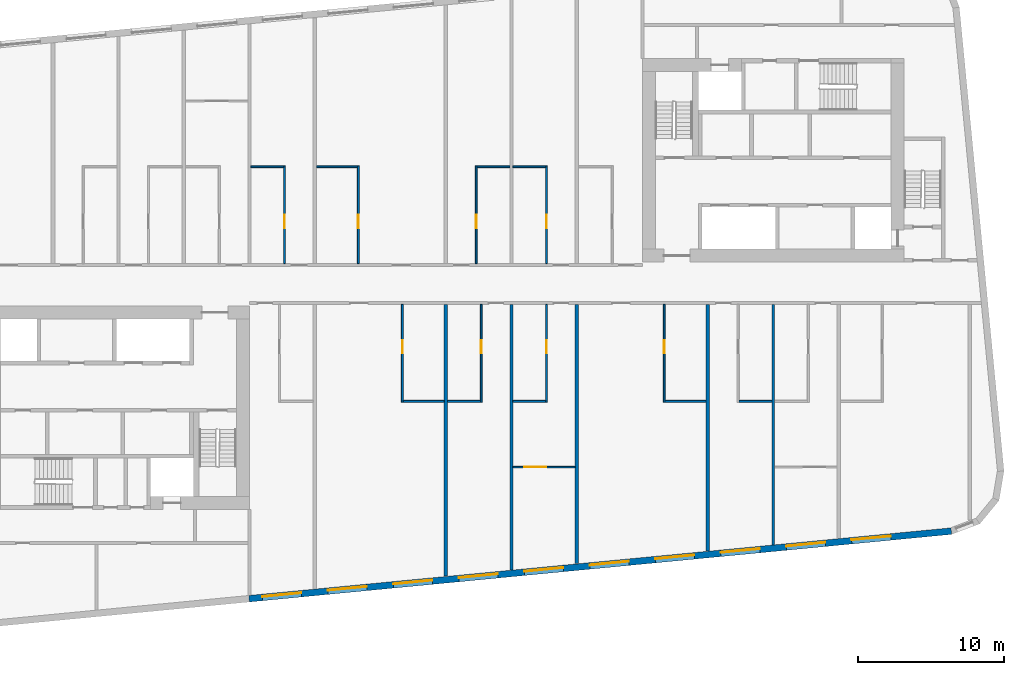
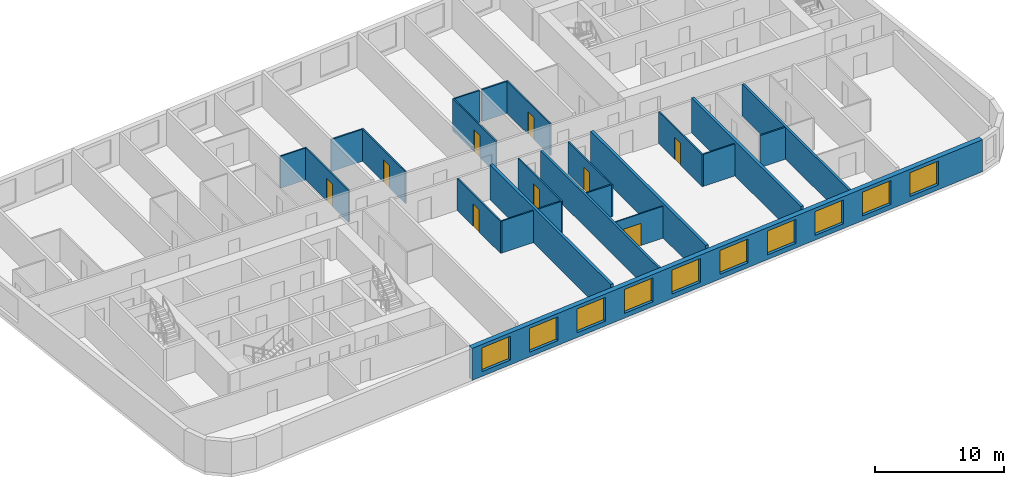
# One storey, part 4 of 12: 24 walls, 10 windows, 9 doors, 19 openings.
"""IFC4 building model written with IfcOpenShell, lengths in metres."""

from ifc_helpers import new_model, si_unit, direction, frame, frame_2d, origin, place, context, subcontext, project, spatial, rectangle, extrude, material, layer, layer_set, type_object, element, fill, save


model = new_model("IFC4")

# Units and contexts
model_context = context("Model", 3, precision=1e-05, world=origin(), true_north=direction((0.0, 1.0)))
body_context = subcontext(model_context, "Body", "Model", "MODEL_VIEW")
ifc_project = project(units=[si_unit("LENGTHUNIT", "METRE"), si_unit("AREAUNIT", "SQUARE_METRE"), si_unit("VOLUMEUNIT", "CUBIC_METRE"), si_unit("PLANEANGLEUNIT", "RADIAN"), si_unit("MASSUNIT", "GRAM", prefix="KILO")], contexts=[model_context])

# Site, building, storey
site_placement = place(None, origin())
site = spatial("IfcSite", under=ifc_project, at=site_placement, CompositionType="ELEMENT")
building_placement = place(site_placement, origin())
building = spatial("IfcBuilding", under=site, at=building_placement, Name="Kajstack Hotel Tower", CompositionType="ELEMENT")
storey_placement = place(building_placement, frame((0.0, 0.0, 301.5)))
storey = spatial("IfcBuildingStorey", under=building, at=storey_placement, Name="L76", CompositionType="ELEMENT", Elevation=301.5)

# Walls
ifc_material_1 = material(Name="Twin-frame gypsum board on steel studs, mineral wool", Category="steel")
ifc_layer_1 = layer(ifc_material_1, 0.199951171875)
ifc_layer_set_1 = layer_set([ifc_layer_1], Name="Demising wall 200")
wall_type_1 = type_object("IfcWallType", Name="Demising wall 200", PredefinedType="PARTITIONING", material=ifc_layer_set_1)
wall_1_placement = place(storey_placement, frame((4.5, -19.6630859375, 0.0), z_axis=(0.0, 0.0, 1.0), x_axis=(0.0, 1.0, 0.0)))
element("IfcWall", 1, at=wall_1_placement, inside=storey, type_object=wall_type_1, Name="G-wall-L76-033", PredefinedType="PARTITIONING", context=body_context, shape_type="SweptSolid", body=[
    extrude(rectangle(XDim=18.26318359375, YDim=0.199951171875, at=frame_2d((9.131591796875, 0.0))), origin(), (0.0, 0.0, 1.0), 3.02001953125),
])
wall_2_placement = place(storey_placement, frame((22.5, -17.928955078125, 0.0), z_axis=(0.0, 0.0, 1.0), x_axis=(0.0, 1.0, 0.0)))
element("IfcWall", 2, at=wall_2_placement, inside=storey, type_object=wall_type_1, Name="G-wall-L76-041", PredefinedType="PARTITIONING", context=body_context, shape_type="SweptSolid", body=[
    extrude(rectangle(XDim=16.529052734375, YDim=0.199951171875, at=frame_2d((8.2646484375, 0.0))), origin(), (0.0, 0.0, 1.0), 3.02001953125),
])

# Wall, openings, windows
ifc_material_2 = material(Name="Terracotta-faced brick masonry", Category="masonry")
ifc_layer_2 = layer(ifc_material_2, 0.449951171875)
ifc_layer_set_2 = layer_set([ifc_layer_2], Name="EW-TERRA")
wall_type_2 = type_object("IfcWallType", Name="EW-TERRA", PredefinedType="SOLIDWALL", material=ifc_layer_set_2)
wall_3_placement = place(storey_placement, frame((-13.521484375, -21.6240234375, 0.0), z_axis=(0.0, 0.0, 1.0), x_axis=(0.995396186218, 0.095845878695, 0.0)))
wall_3 = element("IfcWall", 3, at=wall_3_placement, inside=storey, type_object=wall_type_2, Name="E-wall-L76-04-02", PredefinedType="SOLIDWALL", context=body_context, shape_type="SweptSolid", body=[
    extrude(rectangle(XDim=48.481201171875, YDim=0.449951171875, at=frame_2d((24.24072265625, 0.0))), origin(), (0.0, 0.0, 1.0), 3.02001953125),
])
opening_1_placement = place(wall_3_placement, frame((0.910400390625, 0.0, 0.449951171875)))
opening_1 = element("IfcOpeningElement", 4, at=opening_1_placement, cuts=wall_3, Name="Opening W1", PredefinedType="OPENING", context=body_context, shape_type="SweptSolid", body=[
    extrude(rectangle(XDim=2.699951171875, YDim=2.25, at=frame_2d((1.35009765625, 1.125))), frame((0.0, 0.23486328125, 0.0), z_axis=(0.0, -1.0, 0.0), x_axis=(1.0, 0.0, 0.0)), (0.0, 0.0, 1.0), 0.469970703125),
])
opening_2_placement = place(wall_3_placement, frame((5.43115234375, 0.0, 0.449951171875)))
opening_2 = element("IfcOpeningElement", 5, at=opening_2_placement, cuts=wall_3, Name="Opening W1", PredefinedType="OPENING", context=body_context, shape_type="SweptSolid", body=[
    extrude(rectangle(XDim=2.699951171875, YDim=2.25, at=frame_2d((1.35009765625, 1.125))), frame((0.0, 0.23486328125, 0.0), z_axis=(0.0, -1.0, 0.0), x_axis=(1.0, 0.0, 0.0)), (0.0, 0.0, 1.0), 0.469970703125),
])
opening_3_placement = place(wall_3_placement, frame((9.951904296875, 0.0, 0.449951171875)))
opening_3 = element("IfcOpeningElement", 6, at=opening_3_placement, cuts=wall_3, Name="Opening W1", PredefinedType="OPENING", context=body_context, shape_type="SweptSolid", body=[
    extrude(rectangle(XDim=2.699951171875, YDim=2.25, at=frame_2d((1.35009765625, 1.125))), frame((0.0, 0.23486328125, 0.0), z_axis=(0.0, -1.0, 0.0), x_axis=(1.0, 0.0, 0.0)), (0.0, 0.0, 1.0), 0.469970703125),
])
opening_4_placement = place(wall_3_placement, frame((14.472900390625, 0.0, 0.449951171875)))
opening_4 = element("IfcOpeningElement", 7, at=opening_4_placement, cuts=wall_3, Name="Opening W1", PredefinedType="OPENING", context=body_context, shape_type="SweptSolid", body=[
    extrude(rectangle(XDim=2.699951171875, YDim=2.25, at=frame_2d((1.35009765625, 1.125))), frame((0.0, 0.23486328125, 0.0), z_axis=(0.0, -1.0, 0.0), x_axis=(1.0, 0.0, 0.0)), (0.0, 0.0, 1.0), 0.469970703125),
])
opening_5_placement = place(wall_3_placement, frame((18.99365234375, 0.0, 0.449951171875)))
opening_5 = element("IfcOpeningElement", 8, at=opening_5_placement, cuts=wall_3, Name="Opening W1", PredefinedType="OPENING", context=body_context, shape_type="SweptSolid", body=[
    extrude(rectangle(XDim=2.699951171875, YDim=2.25, at=frame_2d((1.35009765625, 1.125))), frame((0.0, 0.23486328125, 0.0), z_axis=(0.0, -1.0, 0.0), x_axis=(1.0, 0.0, 0.0)), (0.0, 0.0, 1.0), 0.469970703125),
])
opening_6_placement = place(wall_3_placement, frame((23.514404296875, 0.0, 0.449951171875)))
opening_6 = element("IfcOpeningElement", 9, at=opening_6_placement, cuts=wall_3, Name="Opening W1", PredefinedType="OPENING", context=body_context, shape_type="SweptSolid", body=[
    extrude(rectangle(XDim=2.699951171875, YDim=2.25, at=frame_2d((1.35009765625, 1.125))), frame((0.0, 0.23486328125, 0.0), z_axis=(0.0, -1.0, 0.0), x_axis=(1.0, 0.0, 0.0)), (0.0, 0.0, 1.0), 0.469970703125),
])
opening_7_placement = place(wall_3_placement, frame((28.03515625, 0.0, 0.449951171875)))
opening_7 = element("IfcOpeningElement", 10, at=opening_7_placement, cuts=wall_3, Name="Opening W1", PredefinedType="OPENING", context=body_context, shape_type="SweptSolid", body=[
    extrude(rectangle(XDim=2.699951171875, YDim=2.25, at=frame_2d((1.35009765625, 1.125))), frame((0.0, 0.23486328125, 0.0), z_axis=(0.0, -1.0, 0.0), x_axis=(1.0, 0.0, 0.0)), (0.0, 0.0, 1.0), 0.469970703125),
])
opening_8_placement = place(wall_3_placement, frame((32.55615234375, 0.0, 0.449951171875)))
opening_8 = element("IfcOpeningElement", 11, at=opening_8_placement, cuts=wall_3, Name="Opening W1", PredefinedType="OPENING", context=body_context, shape_type="SweptSolid", body=[
    extrude(rectangle(XDim=2.699951171875, YDim=2.25, at=frame_2d((1.35009765625, 1.125))), frame((0.0, 0.23486328125, 0.0), z_axis=(0.0, -1.0, 0.0), x_axis=(1.0, 0.0, 0.0)), (0.0, 0.0, 1.0), 0.469970703125),
])
opening_9_placement = place(wall_3_placement, frame((37.076904296875, 0.0, 0.449951171875)))
opening_9 = element("IfcOpeningElement", 12, at=opening_9_placement, cuts=wall_3, Name="Opening W1", PredefinedType="OPENING", context=body_context, shape_type="SweptSolid", body=[
    extrude(rectangle(XDim=2.699951171875, YDim=2.25, at=frame_2d((1.35009765625, 1.125))), frame((0.0, 0.23486328125, 0.0), z_axis=(0.0, -1.0, 0.0), x_axis=(1.0, 0.0, 0.0)), (0.0, 0.0, 1.0), 0.469970703125),
])
opening_10_placement = place(wall_3_placement, frame((41.59765625, 0.0, 0.449951171875)))
opening_10 = element("IfcOpeningElement", 13, at=opening_10_placement, cuts=wall_3, Name="Opening W1", PredefinedType="OPENING", context=body_context, shape_type="SweptSolid", body=[
    extrude(rectangle(XDim=2.699951171875, YDim=2.25, at=frame_2d((1.35009765625, 1.125))), frame((0.0, 0.23486328125, 0.0), z_axis=(0.0, -1.0, 0.0), x_axis=(1.0, 0.0, 0.0)), (0.0, 0.0, 1.0), 0.469970703125),
])
ifc_material_3 = material(Name="Timber-aluminium window, triple glazed", Category="wood")
window_type = type_object("IfcWindowType", Name="WG1", PartitioningType="SINGLE_PANEL", PredefinedType="WINDOW", material=ifc_material_3)
window_1_placement = place(opening_1_placement, origin())
window_1 = element("IfcWindow", 14, at=window_1_placement, inside=storey, type_object=window_type, Name="Window W1 L76-04", OverallHeight=2.25, OverallWidth=2.699951171875, PartitioningType="SINGLE_PANEL", PredefinedType="WINDOW", context=body_context, shape_type="SweptSolid", body=[
    extrude(rectangle(XDim=2.699951171875, YDim=2.25, at=frame_2d((1.35009765625, 1.125))), frame((0.0, 0.090087890625, 0.0), z_axis=(0.0, -1.0, 0.0), x_axis=(1.0, 0.0, 0.0)), (0.0, 0.0, 1.0), 0.06005859375),
])
fill(opening_1, window_1)
window_2_placement = place(opening_2_placement, origin())
window_2 = element("IfcWindow", 15, at=window_2_placement, inside=storey, type_object=window_type, Name="Window W1 L76-04", OverallHeight=2.25, OverallWidth=2.699951171875, PartitioningType="SINGLE_PANEL", PredefinedType="WINDOW", context=body_context, shape_type="SweptSolid", body=[
    extrude(rectangle(XDim=2.699951171875, YDim=2.25, at=frame_2d((1.35009765625, 1.125))), frame((0.0, 0.090087890625, 0.0), z_axis=(0.0, -1.0, 0.0), x_axis=(1.0, 0.0, 0.0)), (0.0, 0.0, 1.0), 0.06005859375),
])
fill(opening_2, window_2)
window_3_placement = place(opening_3_placement, origin())
window_3 = element("IfcWindow", 16, at=window_3_placement, inside=storey, type_object=window_type, Name="Window W1 L76-04", OverallHeight=2.25, OverallWidth=2.699951171875, PartitioningType="SINGLE_PANEL", PredefinedType="WINDOW", context=body_context, shape_type="SweptSolid", body=[
    extrude(rectangle(XDim=2.699951171875, YDim=2.25, at=frame_2d((1.35009765625, 1.125))), frame((0.0, 0.090087890625, 0.0), z_axis=(0.0, -1.0, 0.0), x_axis=(1.0, 0.0, 0.0)), (0.0, 0.0, 1.0), 0.06005859375),
])
fill(opening_3, window_3)
window_4_placement = place(opening_4_placement, origin())
window_4 = element("IfcWindow", 17, at=window_4_placement, inside=storey, type_object=window_type, Name="Window W1 L76-04", OverallHeight=2.25, OverallWidth=2.699951171875, PartitioningType="SINGLE_PANEL", PredefinedType="WINDOW", context=body_context, shape_type="SweptSolid", body=[
    extrude(rectangle(XDim=2.699951171875, YDim=2.25, at=frame_2d((1.35009765625, 1.125))), frame((0.0, 0.090087890625, 0.0), z_axis=(0.0, -1.0, 0.0), x_axis=(1.0, 0.0, 0.0)), (0.0, 0.0, 1.0), 0.06005859375),
])
fill(opening_4, window_4)
window_5_placement = place(opening_5_placement, origin())
window_5 = element("IfcWindow", 18, at=window_5_placement, inside=storey, type_object=window_type, Name="Window W1 L76-04", OverallHeight=2.25, OverallWidth=2.699951171875, PartitioningType="SINGLE_PANEL", PredefinedType="WINDOW", context=body_context, shape_type="SweptSolid", body=[
    extrude(rectangle(XDim=2.699951171875, YDim=2.25, at=frame_2d((1.35009765625, 1.125))), frame((0.0, 0.090087890625, 0.0), z_axis=(0.0, -1.0, 0.0), x_axis=(1.0, 0.0, 0.0)), (0.0, 0.0, 1.0), 0.06005859375),
])
fill(opening_5, window_5)
window_6_placement = place(opening_6_placement, origin())
window_6 = element("IfcWindow", 19, at=window_6_placement, inside=storey, type_object=window_type, Name="Window W1 L76-04", OverallHeight=2.25, OverallWidth=2.699951171875, PartitioningType="SINGLE_PANEL", PredefinedType="WINDOW", context=body_context, shape_type="SweptSolid", body=[
    extrude(rectangle(XDim=2.699951171875, YDim=2.25, at=frame_2d((1.35009765625, 1.125))), frame((0.0, 0.090087890625, 0.0), z_axis=(0.0, -1.0, 0.0), x_axis=(1.0, 0.0, 0.0)), (0.0, 0.0, 1.0), 0.06005859375),
])
fill(opening_6, window_6)
window_7_placement = place(opening_7_placement, origin())
window_7 = element("IfcWindow", 20, at=window_7_placement, inside=storey, type_object=window_type, Name="Window W1 L76-04", OverallHeight=2.25, OverallWidth=2.699951171875, PartitioningType="SINGLE_PANEL", PredefinedType="WINDOW", context=body_context, shape_type="SweptSolid", body=[
    extrude(rectangle(XDim=2.699951171875, YDim=2.25, at=frame_2d((1.35009765625, 1.125))), frame((0.0, 0.090087890625, 0.0), z_axis=(0.0, -1.0, 0.0), x_axis=(1.0, 0.0, 0.0)), (0.0, 0.0, 1.0), 0.06005859375),
])
fill(opening_7, window_7)
window_8_placement = place(opening_8_placement, origin())
window_8 = element("IfcWindow", 21, at=window_8_placement, inside=storey, type_object=window_type, Name="Window W1 L76-04", OverallHeight=2.25, OverallWidth=2.699951171875, PartitioningType="SINGLE_PANEL", PredefinedType="WINDOW", context=body_context, shape_type="SweptSolid", body=[
    extrude(rectangle(XDim=2.699951171875, YDim=2.25, at=frame_2d((1.35009765625, 1.125))), frame((0.0, 0.090087890625, 0.0), z_axis=(0.0, -1.0, 0.0), x_axis=(1.0, 0.0, 0.0)), (0.0, 0.0, 1.0), 0.06005859375),
])
fill(opening_8, window_8)
window_9_placement = place(opening_9_placement, origin())
window_9 = element("IfcWindow", 22, at=window_9_placement, inside=storey, type_object=window_type, Name="Window W1 L76-04", OverallHeight=2.25, OverallWidth=2.699951171875, PartitioningType="SINGLE_PANEL", PredefinedType="WINDOW", context=body_context, shape_type="SweptSolid", body=[
    extrude(rectangle(XDim=2.699951171875, YDim=2.25, at=frame_2d((1.35009765625, 1.125))), frame((0.0, 0.090087890625, 0.0), z_axis=(0.0, -1.0, 0.0), x_axis=(1.0, 0.0, 0.0)), (0.0, 0.0, 1.0), 0.06005859375),
])
fill(opening_9, window_9)
window_10_placement = place(opening_10_placement, origin())
window_10 = element("IfcWindow", 23, at=window_10_placement, inside=storey, type_object=window_type, Name="Window W1 L76-04", OverallHeight=2.25, OverallWidth=2.699951171875, PartitioningType="SINGLE_PANEL", PredefinedType="WINDOW", context=body_context, shape_type="SweptSolid", body=[
    extrude(rectangle(XDim=2.699951171875, YDim=2.25, at=frame_2d((1.35009765625, 1.125))), frame((0.0, 0.090087890625, 0.0), z_axis=(0.0, -1.0, 0.0), x_axis=(1.0, 0.0, 0.0)), (0.0, 0.0, 1.0), 0.06005859375),
])
fill(opening_10, window_10)

# Wall, opening, door
ifc_material_4 = material(Name="Gypsum board and tiled backer on steel studs", Category="steel")
ifc_layer_3 = layer(ifc_material_4, 0.125)
ifc_layer_set_3 = layer_set([ifc_layer_3], Name="En-suite wall 125")
wall_type_3 = type_object("IfcWallType", Name="En-suite wall 125", PredefinedType="PARTITIONING", material=ifc_layer_set_3)
wall_4_placement = place(storey_placement, frame((-11.087890625, 1.39990234375, 0.0), z_axis=(0.0, 0.0, 1.0), x_axis=(0.0, 1.0, 0.0)))
wall_4 = element("IfcWall", 24, at=wall_4_placement, inside=storey, type_object=wall_type_3, Name="G-wall-L76-017", PredefinedType="PARTITIONING", context=body_context, shape_type="SweptSolid", body=[
    extrude(rectangle(XDim=6.72509765625, YDim=0.125, at=frame_2d((3.362548828125, 0.0))), origin(), (0.0, 0.0, 1.0), 3.02001953125),
])
opening_11_placement = place(wall_4_placement, frame((2.449951171875, 0.0, 0.0)))
opening_11 = element("IfcOpeningElement", 25, at=opening_11_placement, cuts=wall_4, Name="Opening 76013", PredefinedType="OPENING", context=body_context, shape_type="SweptSolid", body=[
    extrude(rectangle(XDim=0.89990234375, YDim=2.10009765625, at=frame_2d((0.449951171875, 1.050048828125))), frame((0.0, 0.072509765625, 0.0), z_axis=(0.0, -1.0, 0.0), x_axis=(1.0, 0.0, 0.0)), (0.0, 0.0, 1.0), 0.14501953125),
])
ifc_material_5 = material(Name="Painted timber door leaf", Category="wood")
door_type_1 = type_object("IfcDoorType", Name="Room door 900", OperationType="SINGLE_SWING_LEFT", PredefinedType="DOOR", material=ifc_material_5)
door_1_placement = place(opening_11_placement, origin())
door_1 = element("IfcDoor", 26, at=door_1_placement, inside=storey, type_object=door_type_1, Name="G-door-L76-13", OperationType="SINGLE_SWING_RIGHT", OverallHeight=2.10009765625, OverallWidth=0.89990234375, PredefinedType="DOOR", context=body_context, shape_type="SweptSolid", body=[
    extrude(rectangle(XDim=0.89990234375, YDim=2.10009765625, at=frame_2d((0.449951171875, 1.050048828125))), frame((0.0, 0.02490234375, 0.0), z_axis=(0.0, -1.0, 0.0), x_axis=(1.0, 0.0, 0.0)), (0.0, 0.0, 1.0), 0.050048828125),
])
fill(opening_11, door_1)

# Wall
wall_5_placement = place(storey_placement, frame((-13.39990234375, 8.06201171875, 0.0), z_axis=(0.0, 0.0, 1.0), x_axis=(1.0, 0.0, 0.0)))
element("IfcWall", 27, at=wall_5_placement, inside=storey, type_object=wall_type_3, Name="G-wall-L76-018", PredefinedType="PARTITIONING", context=body_context, shape_type="SweptSolid", body=[
    extrude(rectangle(XDim=2.25, YDim=0.125, at=frame_2d((1.125, 0.0))), origin(), (0.0, 0.0, 1.0), 3.02001953125),
])

# Wall, opening, door
wall_6_placement = place(storey_placement, frame((-6.012939453125, 1.39990234375, 0.0), z_axis=(0.0, 0.0, 1.0), x_axis=(0.0, 1.0, 0.0)))
wall_6 = element("IfcWall", 28, at=wall_6_placement, inside=storey, type_object=wall_type_3, Name="G-wall-L76-019", PredefinedType="PARTITIONING", context=body_context, shape_type="SweptSolid", body=[
    extrude(rectangle(XDim=6.72509765625, YDim=0.125, at=frame_2d((3.362548828125, 0.0))), origin(), (0.0, 0.0, 1.0), 3.02001953125),
])
opening_12_placement = place(wall_6_placement, frame((2.449951171875, 0.0, 0.0)))
opening_12 = element("IfcOpeningElement", 29, at=opening_12_placement, cuts=wall_6, Name="Opening 76015", PredefinedType="OPENING", context=body_context, shape_type="SweptSolid", body=[
    extrude(rectangle(XDim=0.89990234375, YDim=2.10009765625, at=frame_2d((0.449951171875, 1.050048828125))), frame((0.0, 0.072509765625, 0.0), z_axis=(0.0, -1.0, 0.0), x_axis=(1.0, 0.0, 0.0)), (0.0, 0.0, 1.0), 0.14501953125),
])
door_2_placement = place(opening_12_placement, origin())
door_2 = element("IfcDoor", 30, at=door_2_placement, inside=storey, type_object=door_type_1, Name="G-door-L76-15", OperationType="SINGLE_SWING_LEFT", OverallHeight=2.10009765625, OverallWidth=0.89990234375, PredefinedType="DOOR", context=body_context, shape_type="SweptSolid", body=[
    extrude(rectangle(XDim=0.89990234375, YDim=2.10009765625, at=frame_2d((0.449951171875, 1.050048828125))), frame((0.0, 0.02490234375, 0.0), z_axis=(0.0, -1.0, 0.0), x_axis=(1.0, 0.0, 0.0)), (0.0, 0.0, 1.0), 0.050048828125),
])
fill(opening_12, door_2)

# Wall
wall_7_placement = place(storey_placement, frame((-8.875, 8.06201171875, 0.0), z_axis=(0.0, 0.0, 1.0), x_axis=(1.0, 0.0, 0.0)))
element("IfcWall", 31, at=wall_7_placement, inside=storey, type_object=wall_type_3, Name="G-wall-L76-020", PredefinedType="PARTITIONING", context=body_context, shape_type="SweptSolid", body=[
    extrude(rectangle(XDim=2.800048828125, YDim=0.125, at=frame_2d((1.39990234375, 0.0))), origin(), (0.0, 0.0, 1.0), 3.02001953125),
])

# Wall, opening, door
wall_8_placement = place(storey_placement, frame((2.0869140625, 1.39990234375, 0.0), z_axis=(0.0, 0.0, 1.0), x_axis=(0.0, 1.0, 0.0)))
wall_8 = element("IfcWall", 32, at=wall_8_placement, inside=storey, type_object=wall_type_3, Name="G-wall-L76-022", PredefinedType="PARTITIONING", context=body_context, shape_type="SweptSolid", body=[
    extrude(rectangle(XDim=6.72509765625, YDim=0.125, at=frame_2d((3.362548828125, 0.0))), origin(), (0.0, 0.0, 1.0), 3.02001953125),
])
opening_13_placement = place(wall_8_placement, frame((2.449951171875, 0.0, 0.0)))
opening_13 = element("IfcOpeningElement", 33, at=opening_13_placement, cuts=wall_8, Name="Opening 76017", PredefinedType="OPENING", context=body_context, shape_type="SweptSolid", body=[
    extrude(rectangle(XDim=0.89990234375, YDim=2.10009765625, at=frame_2d((0.449951171875, 1.050048828125))), frame((0.0, 0.072509765625, 0.0), z_axis=(0.0, -1.0, 0.0), x_axis=(1.0, 0.0, 0.0)), (0.0, 0.0, 1.0), 0.14501953125),
])
door_3_placement = place(opening_13_placement, origin())
door_3 = element("IfcDoor", 34, at=door_3_placement, inside=storey, type_object=door_type_1, Name="G-door-L76-17", OperationType="SINGLE_SWING_LEFT", OverallHeight=2.10009765625, OverallWidth=0.89990234375, PredefinedType="DOOR", context=body_context, shape_type="SweptSolid", body=[
    extrude(rectangle(XDim=0.89990234375, YDim=2.10009765625, at=frame_2d((0.449951171875, 1.050048828125))), frame((0.0, 0.02490234375, 0.0), z_axis=(0.0, -1.0, 0.0), x_axis=(1.0, 0.0, 0.0)), (0.0, 0.0, 1.0), 0.050048828125),
])
fill(opening_13, door_3)

# Wall
wall_9_placement = place(storey_placement, frame((2.14990234375, 8.06201171875, 0.0), z_axis=(0.0, 0.0, 1.0), x_axis=(1.0, 0.0, 0.0)))
element("IfcWall", 35, at=wall_9_placement, inside=storey, type_object=wall_type_3, Name="G-wall-L76-023", PredefinedType="PARTITIONING", context=body_context, shape_type="SweptSolid", body=[
    extrude(rectangle(XDim=2.25, YDim=0.125, at=frame_2d((1.125, 0.0))), origin(), (0.0, 0.0, 1.0), 3.02001953125),
])

# Wall, opening, door
wall_10_placement = place(storey_placement, frame((6.912109375, 1.39990234375, 0.0), z_axis=(0.0, 0.0, 1.0), x_axis=(0.0, 1.0, 0.0)))
wall_10 = element("IfcWall", 36, at=wall_10_placement, inside=storey, type_object=wall_type_3, Name="G-wall-L76-024", PredefinedType="PARTITIONING", context=body_context, shape_type="SweptSolid", body=[
    extrude(rectangle(XDim=6.72509765625, YDim=0.125, at=frame_2d((3.362548828125, 0.0))), origin(), (0.0, 0.0, 1.0), 3.02001953125),
])
opening_14_placement = place(wall_10_placement, frame((2.449951171875, 0.0, 0.0)))
opening_14 = element("IfcOpeningElement", 37, at=opening_14_placement, cuts=wall_10, Name="Opening 76019", PredefinedType="OPENING", context=body_context, shape_type="SweptSolid", body=[
    extrude(rectangle(XDim=0.89990234375, YDim=2.10009765625, at=frame_2d((0.449951171875, 1.050048828125))), frame((0.0, 0.072509765625, 0.0), z_axis=(0.0, -1.0, 0.0), x_axis=(1.0, 0.0, 0.0)), (0.0, 0.0, 1.0), 0.14501953125),
])
door_4_placement = place(opening_14_placement, origin())
door_4 = element("IfcDoor", 38, at=door_4_placement, inside=storey, type_object=door_type_1, Name="G-door-L76-19", OperationType="SINGLE_SWING_LEFT", OverallHeight=2.10009765625, OverallWidth=0.89990234375, PredefinedType="DOOR", context=body_context, shape_type="SweptSolid", body=[
    extrude(rectangle(XDim=0.89990234375, YDim=2.10009765625, at=frame_2d((0.449951171875, 1.050048828125))), frame((0.0, 0.02490234375, 0.0), z_axis=(0.0, -1.0, 0.0), x_axis=(1.0, 0.0, 0.0)), (0.0, 0.0, 1.0), 0.050048828125),
])
fill(opening_14, door_4)

# Wall
wall_11_placement = place(storey_placement, frame((4.60009765625, 8.06201171875, 0.0), z_axis=(0.0, 0.0, 1.0), x_axis=(1.0, 0.0, 0.0)))
element("IfcWall", 39, at=wall_11_placement, inside=storey, type_object=wall_type_3, Name="G-wall-L76-025", PredefinedType="PARTITIONING", context=body_context, shape_type="SweptSolid", body=[
    extrude(rectangle(XDim=2.25, YDim=0.125, at=frame_2d((1.125, 0.0))), origin(), (0.0, 0.0, 1.0), 3.02001953125),
])

# Wall, opening, door
wall_12_placement = place(storey_placement, frame((-2.987060546875, -8.125, 0.0), z_axis=(0.0, 0.0, 1.0), x_axis=(0.0, 1.0, 0.0)))
wall_12 = element("IfcWall", 40, at=wall_12_placement, inside=storey, type_object=wall_type_3, Name="G-wall-L76-031", PredefinedType="PARTITIONING", context=body_context, shape_type="SweptSolid", body=[
    extrude(rectangle(XDim=6.72509765625, YDim=0.125, at=frame_2d((3.362548828125, 0.0))), origin(), (0.0, 0.0, 1.0), 3.02001953125),
])
opening_15_placement = place(wall_12_placement, frame((3.375, 0.0, 0.0)))
opening_15 = element("IfcOpeningElement", 41, at=opening_15_placement, cuts=wall_12, Name="Opening 76025", PredefinedType="OPENING", context=body_context, shape_type="SweptSolid", body=[
    extrude(rectangle(XDim=0.89990234375, YDim=2.10009765625, at=frame_2d((0.449951171875, 1.050048828125))), frame((0.0, 0.072509765625, 0.0), z_axis=(0.0, -1.0, 0.0), x_axis=(1.0, 0.0, 0.0)), (0.0, 0.0, 1.0), 0.14501953125),
])
door_5_placement = place(opening_15_placement, origin())
door_5 = element("IfcDoor", 42, at=door_5_placement, inside=storey, type_object=door_type_1, Name="G-door-L76-25", OperationType="SINGLE_SWING_RIGHT", OverallHeight=2.10009765625, OverallWidth=0.89990234375, PredefinedType="DOOR", context=body_context, shape_type="SweptSolid", body=[
    extrude(rectangle(XDim=0.89990234375, YDim=2.10009765625, at=frame_2d((0.449951171875, 1.050048828125))), frame((0.0, 0.02490234375, 0.0), z_axis=(0.0, -1.0, 0.0), x_axis=(1.0, 0.0, 0.0)), (0.0, 0.0, 1.0), 0.050048828125),
])
fill(opening_15, door_5)

# Wall
wall_13_placement = place(storey_placement, frame((-2.925048828125, -8.06201171875, 0.0), z_axis=(0.0, 0.0, 1.0), x_axis=(1.0, 0.0, 0.0)))
element("IfcWall", 43, at=wall_13_placement, inside=storey, type_object=wall_type_3, Name="G-wall-L76-032", PredefinedType="PARTITIONING", context=body_context, shape_type="SweptSolid", body=[
    extrude(rectangle(XDim=2.800048828125, YDim=0.125, at=frame_2d((1.39990234375, 0.0))), origin(), (0.0, 0.0, 1.0), 3.02001953125),
])

# Wall, opening, door
wall_14_placement = place(storey_placement, frame((2.43798828125, -8.125, 0.0), z_axis=(0.0, 0.0, 1.0), x_axis=(0.0, 1.0, 0.0)))
wall_14 = element("IfcWall", 44, at=wall_14_placement, inside=storey, type_object=wall_type_3, Name="G-wall-L76-034", PredefinedType="PARTITIONING", context=body_context, shape_type="SweptSolid", body=[
    extrude(rectangle(XDim=6.72509765625, YDim=0.125, at=frame_2d((3.362548828125, 0.0))), origin(), (0.0, 0.0, 1.0), 3.02001953125),
])
opening_16_placement = place(wall_14_placement, frame((3.375, 0.0, 0.0)))
opening_16 = element("IfcOpeningElement", 45, at=opening_16_placement, cuts=wall_14, Name="Opening 76027", PredefinedType="OPENING", context=body_context, shape_type="SweptSolid", body=[
    extrude(rectangle(XDim=0.89990234375, YDim=2.10009765625, at=frame_2d((0.449951171875, 1.050048828125))), frame((0.0, 0.072509765625, 0.0), z_axis=(0.0, -1.0, 0.0), x_axis=(1.0, 0.0, 0.0)), (0.0, 0.0, 1.0), 0.14501953125),
])
door_6_placement = place(opening_16_placement, origin())
door_6 = element("IfcDoor", 46, at=door_6_placement, inside=storey, type_object=door_type_1, Name="G-door-L76-27", OperationType="SINGLE_SWING_RIGHT", OverallHeight=2.10009765625, OverallWidth=0.89990234375, PredefinedType="DOOR", context=body_context, shape_type="SweptSolid", body=[
    extrude(rectangle(XDim=0.89990234375, YDim=2.10009765625, at=frame_2d((0.449951171875, 1.050048828125))), frame((0.0, 0.02490234375, 0.0), z_axis=(0.0, -1.0, 0.0), x_axis=(1.0, 0.0, 0.0)), (0.0, 0.0, 1.0), 0.050048828125),
])
fill(opening_16, door_6)

# Wall
wall_15_placement = place(storey_placement, frame((0.125, -8.06201171875, 0.0), z_axis=(0.0, 0.0, 1.0), x_axis=(1.0, 0.0, 0.0)))
element("IfcWall", 47, at=wall_15_placement, inside=storey, type_object=wall_type_3, Name="G-wall-L76-035", PredefinedType="PARTITIONING", context=body_context, shape_type="SweptSolid", body=[
    extrude(rectangle(XDim=2.25, YDim=0.125, at=frame_2d((1.125, 0.0))), origin(), (0.0, 0.0, 1.0), 3.02001953125),
])

# Wall, opening, door
wall_16_placement = place(storey_placement, frame((6.912109375, -8.125, 0.0), z_axis=(0.0, 0.0, 1.0), x_axis=(0.0, 1.0, 0.0)))
wall_16 = element("IfcWall", 48, at=wall_16_placement, inside=storey, type_object=wall_type_3, Name="G-wall-L76-036", PredefinedType="PARTITIONING", context=body_context, shape_type="SweptSolid", body=[
    extrude(rectangle(XDim=6.72509765625, YDim=0.125, at=frame_2d((3.362548828125, 0.0))), origin(), (0.0, 0.0, 1.0), 3.02001953125),
])
opening_17_placement = place(wall_16_placement, frame((3.375, 0.0, 0.0)))
opening_17 = element("IfcOpeningElement", 49, at=opening_17_placement, cuts=wall_16, Name="Opening 76029", PredefinedType="OPENING", context=body_context, shape_type="SweptSolid", body=[
    extrude(rectangle(XDim=0.89990234375, YDim=2.10009765625, at=frame_2d((0.449951171875, 1.050048828125))), frame((0.0, 0.072509765625, 0.0), z_axis=(0.0, -1.0, 0.0), x_axis=(1.0, 0.0, 0.0)), (0.0, 0.0, 1.0), 0.14501953125),
])
door_7_placement = place(opening_17_placement, origin())
door_7 = element("IfcDoor", 50, at=door_7_placement, inside=storey, type_object=door_type_1, Name="G-door-L76-29", OperationType="SINGLE_SWING_LEFT", OverallHeight=2.10009765625, OverallWidth=0.89990234375, PredefinedType="DOOR", context=body_context, shape_type="SweptSolid", body=[
    extrude(rectangle(XDim=0.89990234375, YDim=2.10009765625, at=frame_2d((0.449951171875, 1.050048828125))), frame((0.0, 0.02490234375, 0.0), z_axis=(0.0, -1.0, 0.0), x_axis=(1.0, 0.0, 0.0)), (0.0, 0.0, 1.0), 0.050048828125),
])
fill(opening_17, door_7)

# Wall
wall_17_placement = place(storey_placement, frame((4.60009765625, -8.06201171875, 0.0), z_axis=(0.0, 0.0, 1.0), x_axis=(1.0, 0.0, 0.0)))
element("IfcWall", 51, at=wall_17_placement, inside=storey, type_object=wall_type_3, Name="G-wall-L76-037", PredefinedType="PARTITIONING", context=body_context, shape_type="SweptSolid", body=[
    extrude(rectangle(XDim=2.25, YDim=0.125, at=frame_2d((1.125, 0.0))), origin(), (0.0, 0.0, 1.0), 3.02001953125),
])

# Wall, opening, door
wall_18_placement = place(storey_placement, frame((15.011962890625, -8.125, 0.0), z_axis=(0.0, 0.0, 1.0), x_axis=(0.0, 1.0, 0.0)))
wall_18 = element("IfcWall", 52, at=wall_18_placement, inside=storey, type_object=wall_type_3, Name="G-wall-L76-039", PredefinedType="PARTITIONING", context=body_context, shape_type="SweptSolid", body=[
    extrude(rectangle(XDim=6.72509765625, YDim=0.125, at=frame_2d((3.362548828125, 0.0))), origin(), (0.0, 0.0, 1.0), 3.02001953125),
])
opening_18_placement = place(wall_18_placement, frame((3.375, 0.0, 0.0)))
opening_18 = element("IfcOpeningElement", 53, at=opening_18_placement, cuts=wall_18, Name="Opening 76032", PredefinedType="OPENING", context=body_context, shape_type="SweptSolid", body=[
    extrude(rectangle(XDim=0.89990234375, YDim=2.10009765625, at=frame_2d((0.449951171875, 1.050048828125))), frame((0.0, 0.072509765625, 0.0), z_axis=(0.0, -1.0, 0.0), x_axis=(1.0, 0.0, 0.0)), (0.0, 0.0, 1.0), 0.14501953125),
])
door_8_placement = place(opening_18_placement, origin())
door_8 = element("IfcDoor", 54, at=door_8_placement, inside=storey, type_object=door_type_1, Name="G-door-L76-32", OperationType="SINGLE_SWING_LEFT", OverallHeight=2.10009765625, OverallWidth=0.89990234375, PredefinedType="DOOR", context=body_context, shape_type="SweptSolid", body=[
    extrude(rectangle(XDim=0.89990234375, YDim=2.10009765625, at=frame_2d((0.449951171875, 1.050048828125))), frame((0.0, 0.02490234375, 0.0), z_axis=(0.0, -1.0, 0.0), x_axis=(1.0, 0.0, 0.0)), (0.0, 0.0, 1.0), 0.050048828125),
])
fill(opening_18, door_8)

# Walls
wall_19_placement = place(storey_placement, frame((15.074951171875, -8.06201171875, 0.0), z_axis=(0.0, 0.0, 1.0), x_axis=(1.0, 0.0, 0.0)))
element("IfcWall", 55, at=wall_19_placement, inside=storey, type_object=wall_type_3, Name="G-wall-L76-040", PredefinedType="PARTITIONING", context=body_context, shape_type="SweptSolid", body=[
    extrude(rectangle(XDim=2.800048828125, YDim=0.125, at=frame_2d((1.39990234375, 0.0))), origin(), (0.0, 0.0, 1.0), 3.02001953125),
])
wall_20_placement = place(storey_placement, frame((20.14990234375, -8.06201171875, 0.0), z_axis=(0.0, 0.0, 1.0), x_axis=(1.0, 0.0, 0.0)))
element("IfcWall", 56, at=wall_20_placement, inside=storey, type_object=wall_type_3, Name="G-wall-L76-043", PredefinedType="PARTITIONING", context=body_context, shape_type="SweptSolid", body=[
    extrude(rectangle(XDim=2.25, YDim=0.125, at=frame_2d((1.125, 0.0))), origin(), (0.0, 0.0, 1.0), 3.02001953125),
])

# Wall, opening, door
ifc_material_6 = material(Name="Gypsum board on steel studs", Category="steel")
ifc_layer_4 = layer(ifc_material_6, 0.10009765625)
ifc_layer_set_4 = layer_set([ifc_layer_4], Name="Partition 100")
wall_type_4 = type_object("IfcWallType", Name="Partition 100", PredefinedType="PARTITIONING", material=ifc_layer_set_4)
wall_21_placement = place(storey_placement, frame((4.60009765625, -12.574951171875, 0.0), z_axis=(0.0, 0.0, 1.0), x_axis=(1.0, 0.0, 0.0)))
wall_21 = element("IfcWall", 57, at=wall_21_placement, inside=storey, type_object=wall_type_4, Name="G-wall-L76-038", PredefinedType="PARTITIONING", context=body_context, shape_type="SweptSolid", body=[
    extrude(rectangle(XDim=4.27490234375, YDim=0.10009765625, at=frame_2d((2.137451171875, 0.0))), origin(), (0.0, 0.0, 1.0), 3.02001953125),
])
opening_19_placement = place(wall_21_placement, frame((0.7880859375, 0.0, 0.0)))
opening_19 = element("IfcOpeningElement", 58, at=opening_19_placement, cuts=wall_21, Name="Opening 76030", PredefinedType="OPENING", context=body_context, shape_type="SweptSolid", body=[
    extrude(rectangle(XDim=1.5, YDim=2.10009765625, at=frame_2d((0.75, 1.050048828125))), frame((0.0, 0.06005859375, 0.0), z_axis=(0.0, -1.0, 0.0), x_axis=(1.0, 0.0, 0.0)), (0.0, 0.0, 1.0), 0.1201171875),
])
ifc_material_7 = material(Name="Painted timber door leaves, glazed panels", Category="wood")
door_type_2 = type_object("IfcDoorType", Name="Double door 1500", OperationType="SINGLE_SWING_LEFT", PredefinedType="DOOR", material=ifc_material_7)
door_9_placement = place(opening_19_placement, origin())
door_9 = element("IfcDoor", 59, at=door_9_placement, inside=storey, type_object=door_type_2, Name="G-door-L76-30", OperationType="SINGLE_SWING_RIGHT", OverallHeight=2.10009765625, OverallWidth=1.5, PredefinedType="DOOR", context=body_context, shape_type="SweptSolid", body=[
    extrude(rectangle(XDim=1.5, YDim=2.10009765625, at=frame_2d((0.75, 1.050048828125))), frame((0.0, 0.02490234375, 0.0), z_axis=(0.0, -1.0, 0.0), x_axis=(1.0, 0.0, 0.0)), (0.0, 0.0, 1.0), 0.050048828125),
])
fill(opening_19, door_9)

# Walls
ifc_material_8 = material(Name="Concrete C40/50", Category="concrete")
ifc_layer_5 = layer(ifc_material_8, 0.25)
ifc_layer_set_5 = layer_set([ifc_layer_5], Name="RC cross wall 250 C40/50")
wall_type_5 = type_object("IfcWallType", Name="RC cross wall 250 C40/50", PredefinedType="SHEAR", material=ifc_layer_set_5)
wall_22_placement = place(storey_placement, frame((0.0, -20.073974609375, 0.0), z_axis=(0.0, 0.0, 1.0), x_axis=(0.0, 1.0, 0.0)))
element("IfcWall", 60, at=wall_22_placement, inside=storey, type_object=wall_type_5, Name="S-wall-L76-06", PredefinedType="SHEAR", context=body_context, shape_type="SweptSolid", body=[
    extrude(rectangle(XDim=18.674072265625, YDim=0.25, at=frame_2d((9.3369140625, 0.0))), origin(), (0.0, 0.0, 1.0), 3.300048828125),
])
wall_23_placement = place(storey_placement, frame((9.0, -19.207275390625, 0.0), z_axis=(0.0, 0.0, 1.0), x_axis=(0.0, 1.0, 0.0)))
element("IfcWall", 61, at=wall_23_placement, inside=storey, type_object=wall_type_5, Name="S-wall-L76-08", PredefinedType="SHEAR", context=body_context, shape_type="SweptSolid", body=[
    extrude(rectangle(XDim=17.807373046875, YDim=0.25, at=frame_2d((8.90380859375, 0.0))), origin(), (0.0, 0.0, 1.0), 3.300048828125),
])
wall_24_placement = place(storey_placement, frame((18.0, -18.3408203125, 0.0), z_axis=(0.0, 0.0, 1.0), x_axis=(0.0, 1.0, 0.0)))
element("IfcWall", 62, at=wall_24_placement, inside=storey, type_object=wall_type_5, Name="S-wall-L76-10", PredefinedType="SHEAR", context=body_context, shape_type="SweptSolid", body=[
    extrude(rectangle(XDim=16.94091796875, YDim=0.25, at=frame_2d((8.470458984375, 0.0))), origin(), (0.0, 0.0, 1.0), 3.300048828125),
])

save(model, "model.ifc")
